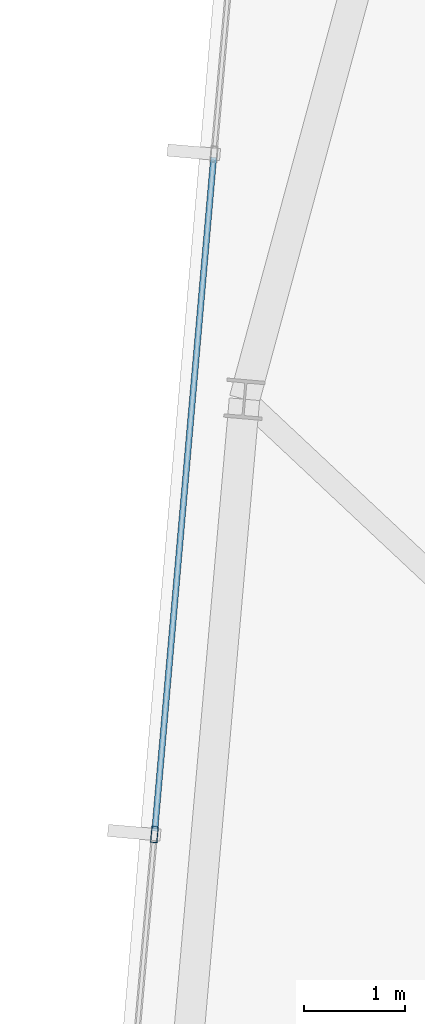
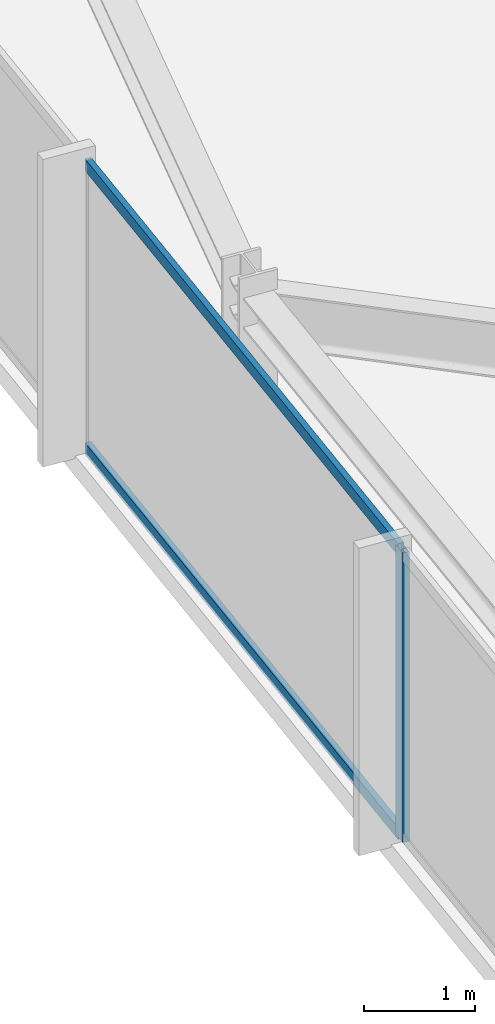
# One storey, part 9 of 32: 3 members, 1 element without a shape of its own.
"""IFC4 building model written with IfcOpenShell, lengths in metres."""

from ifc_helpers import new_model, si_unit, direction, frame, origin, origin_2d, place, context, subcontext, project, spatial, hollow_rectangle, extrude, material, material_profile, profile_set, type_object, element, aggregate, save


model = new_model("IFC4")

# Units and contexts
model_context = context("Model", 3, precision=1e-05, world=origin(), true_north=direction((0.0, 1.0)))
body_context = subcontext(model_context, "Body", "Model", "MODEL_VIEW")
ifc_project = project(units=[si_unit("LENGTHUNIT", "METRE"), si_unit("AREAUNIT", "SQUARE_METRE"), si_unit("VOLUMEUNIT", "CUBIC_METRE"), si_unit("PLANEANGLEUNIT", "RADIAN"), si_unit("MASSUNIT", "GRAM", prefix="KILO")], contexts=[model_context])

# Site, building, storey
site_placement = place(None, origin())
site = spatial("IfcSite", under=ifc_project, at=site_placement, CompositionType="ELEMENT")
building_placement = place(site_placement, origin())
building = spatial("IfcBuilding", under=site, at=building_placement, Name="Yelkora Congress Tower", CompositionType="ELEMENT")
storey_placement = place(building_placement, frame((0.0, 0.0, 293.10009765625)))
storey = spatial("IfcBuildingStorey", under=building, at=storey_placement, Name="L82", CompositionType="ELEMENT", Elevation=293.10009765625)

# Curtain wall, members
ifc_material_1 = material(Name="Anodised aluminium and insulated glass", Category="aluminium")
curtain_wall_type = type_object("IfcCurtainWallType", Name="CW-SYS-B5", PredefinedType="NOTDEFINED", material=ifc_material_1)
curtain_wall_placement = place(storey_placement, origin())
curtain_wall = element("IfcCurtainWall", 1, at=curtain_wall_placement, inside=storey, type_object=curtain_wall_type, Name="L82 Unitised Curtain Wall 5", PredefinedType="NOTDEFINED")
ifc_material_2 = material(Name="Anodised aluminium 6063-T6", Category="aluminium")
ifc_material_profile_1 = material_profile(ifc_material_2, hollow_rectangle(XDim=0.06494140625, YDim=0.159912109375, WallThickness=0.00390625, at=origin_2d()), Name="ALU 65x160x4")
ifc_profile_set_1 = profile_set([ifc_material_profile_1], Name="Anodised aluminium 6063-T6")
member_type_1 = type_object("IfcMemberType", Name="MEM-ML-B5", PredefinedType="MULLION", material=ifc_profile_set_1)
member_1_placement = place(storey_placement, frame((6.900146484375, 35.200927734375, 0.0), z_axis=(0.0, 0.0, 1.0), x_axis=(-0.996194785929, 0.08715473876, 0.0)))
member_1 = element("IfcMember", 2, at=member_1_placement, type_object=member_type_1, Name="CW-B5 mullion 3", PredefinedType="MULLION", context=body_context, shape_type="SweptSolid", body=[
    extrude(hollow_rectangle(XDim=0.06494140625, YDim=0.159912109375, WallThickness=0.00390625, at=origin_2d()), origin(), (0.0, 0.0, 1.0), 3.179931640625),
])
ifc_material_profile_2 = material_profile(ifc_material_2, hollow_rectangle(XDim=0.06005859375, YDim=0.1298828125, WallThickness=0.00390625, at=origin_2d()), Name="ALU 60x130x4")
ifc_profile_set_2 = profile_set([ifc_material_profile_2], Name="Anodised aluminium 6063-T6")
member_type_2 = type_object("IfcMemberType", Name="MEM-TR-B5", PredefinedType="USERDEFINED", material=ifc_profile_set_2)
member_2_placement = place(storey_placement, frame((6.903076171875, 35.2333984375, 0.02978515625), z_axis=(0.087143321513, 0.996195784731, 0.0), x_axis=(-0.996195784731, 0.087143321513, 0.0)))
member_2 = element("IfcMember", 3, at=member_2_placement, type_object=member_type_2, Name="CW-B5 transom 3.1", ObjectType="TRANSOM", PredefinedType="USERDEFINED", context=body_context, shape_type="SweptSolid", body=[
    extrude(hollow_rectangle(XDim=0.06005859375, YDim=0.1298828125, WallThickness=0.00390625, at=origin_2d()), origin(), (0.0, 0.0, 1.0), 6.6650390625),
])
member_3_placement = place(storey_placement, frame((6.903076171875, 35.2333984375, 3.14990234375), z_axis=(0.087143321513, 0.996195784731, 0.0), x_axis=(-0.996195784731, 0.087143321513, 0.0)))
member_3 = element("IfcMember", 4, at=member_3_placement, type_object=member_type_2, Name="CW-B5 transom 3.2", ObjectType="TRANSOM", PredefinedType="USERDEFINED", context=body_context, shape_type="SweptSolid", body=[
    extrude(hollow_rectangle(XDim=0.06005859375, YDim=0.1298828125, WallThickness=0.00390625, at=origin_2d()), origin(), (0.0, 0.0, 1.0), 6.6650390625),
])
aggregate(curtain_wall, [member_1, member_2, member_3])

save(model, "model.ifc")
